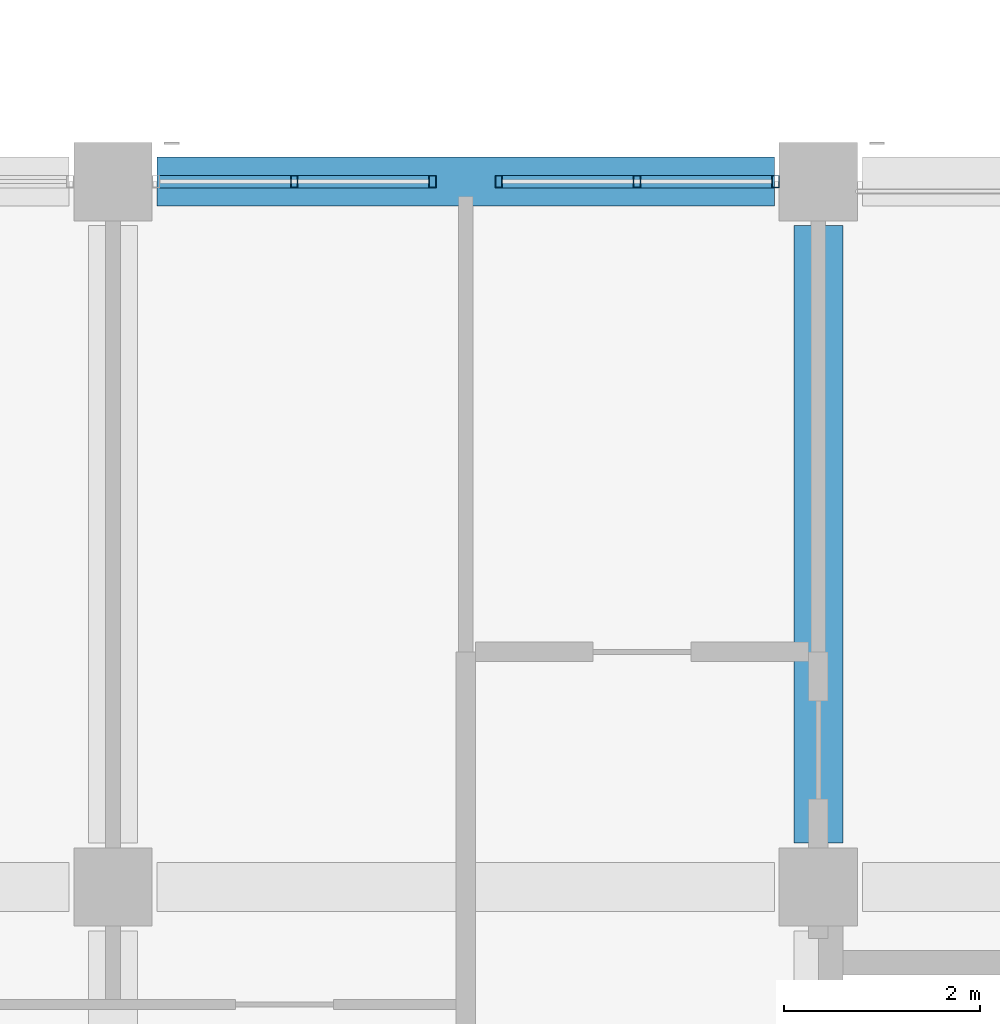
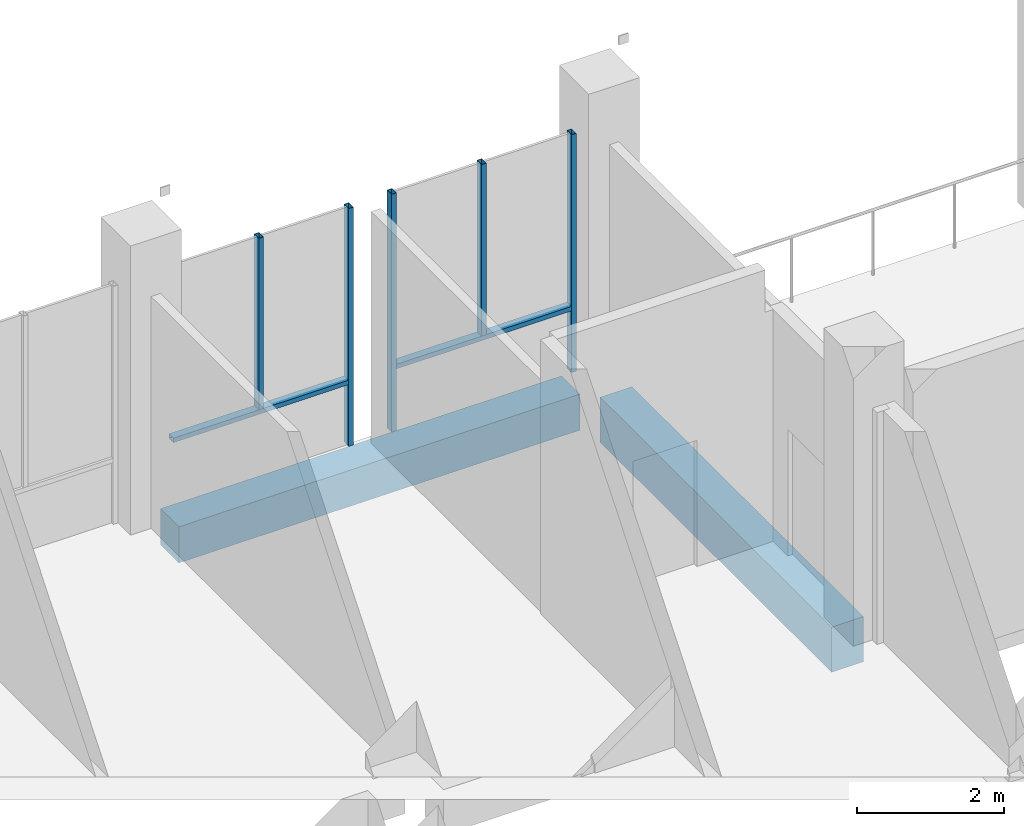
# One storey, part 5 of 31: 7 members, 2 beams, 2 elements without a shape of their own.
"""IFC4 building model written with IfcOpenShell, lengths in metres."""

from ifc_helpers import new_model, si_unit, direction, frame, origin, origin_2d, place, context, subcontext, project, spatial, rectangle, hollow_rectangle, extrude, material, material_profile, profile_set, type_object, element, aggregate, save


model = new_model("IFC4")

# Units and contexts
model_context = context("Model", 3, precision=1e-05, world=origin(), true_north=direction((0.0, 1.0)))
body_context = subcontext(model_context, "Body", "Model", "MODEL_VIEW")
ifc_project = project(units=[si_unit("LENGTHUNIT", "METRE"), si_unit("AREAUNIT", "SQUARE_METRE"), si_unit("VOLUMEUNIT", "CUBIC_METRE"), si_unit("PLANEANGLEUNIT", "RADIAN"), si_unit("MASSUNIT", "GRAM", prefix="KILO")], contexts=[model_context])

# Site, building, storey
site_placement = place(None, origin())
site = spatial("IfcSite", under=ifc_project, at=site_placement, CompositionType="ELEMENT")
building_placement = place(site_placement, origin())
building = spatial("IfcBuilding", under=site, at=building_placement, Name="Silangan Lancet Faculty of Sciences", CompositionType="ELEMENT")
storey_placement = place(building_placement, frame((0.0, 0.0, 36.0)))
storey = spatial("IfcBuildingStorey", under=building, at=storey_placement, Name="L07", CompositionType="ELEMENT", Elevation=36.0)

# Beams
ifc_material_1 = material(Name="Concrete C40/50", Category="concrete")
ifc_material_profile_1 = material_profile(ifc_material_1, rectangle(XDim=0.5, YDim=0.60009765625, at=origin_2d()), Name="RC 500x600")
ifc_profile_set_1 = profile_set([ifc_material_profile_1], Name="Concrete C40/50")
beam_type_1 = type_object("IfcBeamType", Name="BEAM RC 500x600", PredefinedType="BEAM", material=ifc_profile_set_1)
beam_1_placement = place(storey_placement, frame((14.85009765625, 21.60009765625, -0.550048828125), z_axis=(1.0, 0.0, 0.0), x_axis=(0.0, 1.0, 0.0)))
element("IfcBeam", 1, at=beam_1_placement, inside=storey, type_object=beam_type_1, Name="BM-L07-3D-4D", PredefinedType="BEAM", context=body_context, shape_type="SweptSolid", body=[
    extrude(rectangle(XDim=0.5, YDim=0.60009765625, at=origin_2d()), origin(), (0.0, 0.0, 1.0), 6.2998046875),
])
ifc_material_2 = material(Name="Concrete C40/50", Category="concrete")
ifc_material_profile_2 = material_profile(ifc_material_2, rectangle(XDim=0.5, YDim=0.75, at=origin_2d()), Name="RC 500x750")
ifc_profile_set_2 = profile_set([ifc_material_profile_2], Name="Concrete C40/50")
beam_type_2 = type_object("IfcBeamType", Name="BEAM RC 500x750", PredefinedType="BEAM", material=ifc_profile_set_2)
beam_2_placement = place(storey_placement, frame((21.60009765625, 14.85009765625, -0.625), z_axis=(0.0, 1.0, 0.0), x_axis=(-1.0, 0.0, 0.0)))
element("IfcBeam", 2, at=beam_2_placement, inside=storey, type_object=beam_type_2, Name="BM-L07-4C-4D", PredefinedType="BEAM", context=body_context, shape_type="SweptSolid", body=[
    extrude(rectangle(XDim=0.5, YDim=0.75, at=origin_2d()), origin(), (0.0, 0.0, 1.0), 6.2998046875),
])

# Curtain wall, members
ifc_material_3 = material(Name="Aluminium framed curtain wall with insulated glass", Category="aluminium")
curtain_wall_type = type_object("IfcCurtainWallType", Name="CW2 Atrium fire-resisting screen", PredefinedType="NOTDEFINED", material=ifc_material_3)
curtain_wall_1_placement = place(storey_placement, origin())
curtain_wall_1 = element("IfcCurtainWall", 3, at=curtain_wall_1_placement, inside=storey, type_object=curtain_wall_type, Name="CW2 Atrium south L07 bay 1", PredefinedType="NOTDEFINED")
ifc_material_4 = material(Name="Steel S355J2H", Category="steel")
ifc_material_profile_3 = material_profile(ifc_material_4, hollow_rectangle(XDim=0.074951171875, YDim=0.125, WallThickness=0.0048828125, at=origin_2d()), Name="ST BOX 75x125x5")
ifc_profile_set_3 = profile_set([ifc_material_profile_3], Name="Steel S355J2H")
member_type_1 = type_object("IfcMemberType", Name="CM2 Mullion 75x125", PredefinedType="MULLION", material=ifc_profile_set_3)
member_1_placement = place(storey_placement, frame((21.16259765625, 21.60009765625, 0.0), z_axis=(0.0, 0.0, 1.0), x_axis=(-1.0, 0.0, 0.0)))
member_1 = element("IfcMember", 4, at=member_1_placement, type_object=member_type_1, Name="CW2 Atrium south L07 bay 1 mullion 1", PredefinedType="MULLION", context=body_context, shape_type="SweptSolid", body=[
    extrude(hollow_rectangle(XDim=0.074951171875, YDim=0.125, WallThickness=0.0048828125, at=origin_2d()), origin(), (0.0, 0.0, 1.0), 3.949951171875),
])
member_2_placement = place(storey_placement, frame((18.33740234375, 21.60009765625, 0.0), z_axis=(0.0, 0.0, 1.0), x_axis=(-1.0, 0.0, 0.0)))
member_2 = element("IfcMember", 5, at=member_2_placement, type_object=member_type_1, Name="CW2 Atrium south L07 bay 1 mullion 2", PredefinedType="MULLION", context=body_context, shape_type="SweptSolid", body=[
    extrude(hollow_rectangle(XDim=0.074951171875, YDim=0.125, WallThickness=0.0048828125, at=origin_2d()), origin(), (0.0, 0.0, 1.0), 3.949951171875),
])
member_3_placement = place(storey_placement, frame((19.75, 21.60009765625, 1.10009765625), z_axis=(0.0, 0.0, 1.0), x_axis=(-1.0, 0.0, 0.0)))
member_3 = element("IfcMember", 6, at=member_3_placement, type_object=member_type_1, Name="CW2 Atrium south L07 bay 1 mullion 3", PredefinedType="MULLION", context=body_context, shape_type="SweptSolid", body=[
    extrude(hollow_rectangle(XDim=0.074951171875, YDim=0.125, WallThickness=0.0048828125, at=origin_2d()), origin(), (0.0, 0.0, 1.0), 2.849853515625),
])

curtain_wall_2_placement = place(storey_placement, origin())
curtain_wall_2 = element("IfcCurtainWall", 7, at=curtain_wall_2_placement, inside=storey, type_object=curtain_wall_type, Name="CW2 Atrium south L07 bay 2", PredefinedType="NOTDEFINED")
member_4_placement = place(storey_placement, frame((17.66259765625, 21.60009765625, 0.0), z_axis=(0.0, 0.0, 1.0), x_axis=(-1.0, 0.0, 0.0)))
member_4 = element("IfcMember", 8, at=member_4_placement, type_object=member_type_1, Name="CW2 Atrium south L07 bay 2 mullion 1", PredefinedType="MULLION", context=body_context, shape_type="SweptSolid", body=[
    extrude(hollow_rectangle(XDim=0.074951171875, YDim=0.125, WallThickness=0.0048828125, at=origin_2d()), origin(), (0.0, 0.0, 1.0), 3.949951171875),
])
member_5_placement = place(storey_placement, frame((16.25, 21.60009765625, 1.10009765625), z_axis=(0.0, 0.0, 1.0), x_axis=(-1.0, 0.0, 0.0)))
member_5 = element("IfcMember", 9, at=member_5_placement, type_object=member_type_1, Name="CW2 Atrium south L07 bay 2 mullion 3", PredefinedType="MULLION", context=body_context, shape_type="SweptSolid", body=[
    extrude(hollow_rectangle(XDim=0.074951171875, YDim=0.125, WallThickness=0.0048828125, at=origin_2d()), origin(), (0.0, 0.0, 1.0), 2.849853515625),
])

# Member
ifc_material_5 = material(Name="Steel S355J2H", Category="steel")
ifc_material_profile_4 = material_profile(ifc_material_5, hollow_rectangle(XDim=0.125, YDim=0.074951171875, WallThickness=0.0048828125, at=origin_2d()), Name="ST BOX 125x75x5")
ifc_profile_set_4 = profile_set([ifc_material_profile_4], Name="Steel S355J2H")
member_type_2 = type_object("IfcMemberType", Name="CT2 Transom 125x75", PredefinedType="USERDEFINED", material=ifc_profile_set_4)
member_6_placement = place(storey_placement, frame((21.125, 21.60009765625, 1.0625), z_axis=(-1.0, 0.0, 0.0), x_axis=(0.0, -1.0, 0.0)))
member_6 = element("IfcMember", 10, at=member_6_placement, type_object=member_type_2, Name="CW2 Atrium south L07 bay 1 transom 1", ObjectType="TRANSOM", PredefinedType="USERDEFINED", context=body_context, shape_type="SweptSolid", body=[
    extrude(hollow_rectangle(XDim=0.125, YDim=0.074951171875, WallThickness=0.0048828125, at=origin_2d()), origin(), (0.0, 0.0, 1.0), 2.75),
])

aggregate(curtain_wall_1, [member_1, member_2, member_3, member_6])

member_7_placement = place(storey_placement, frame((17.625, 21.60009765625, 1.0625), z_axis=(-1.0, 0.0, 0.0), x_axis=(0.0, -1.0, 0.0)))
member_7 = element("IfcMember", 11, at=member_7_placement, type_object=member_type_2, Name="CW2 Atrium south L07 bay 2 transom 1", ObjectType="TRANSOM", PredefinedType="USERDEFINED", context=body_context, shape_type="SweptSolid", body=[
    extrude(hollow_rectangle(XDim=0.125, YDim=0.074951171875, WallThickness=0.0048828125, at=origin_2d()), origin(), (0.0, 0.0, 1.0), 2.75),
])

aggregate(curtain_wall_2, [member_4, member_5, member_7])

save(model, "model.ifc")
